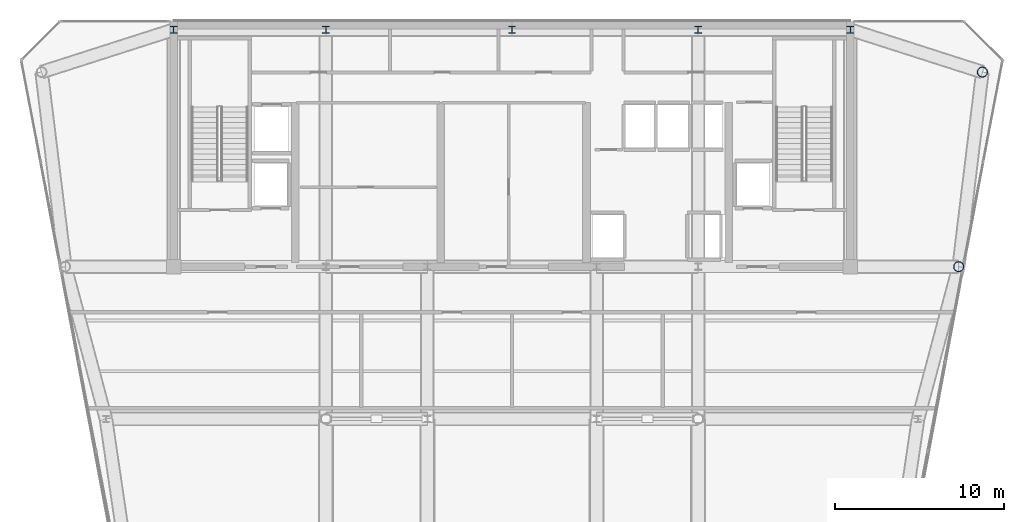
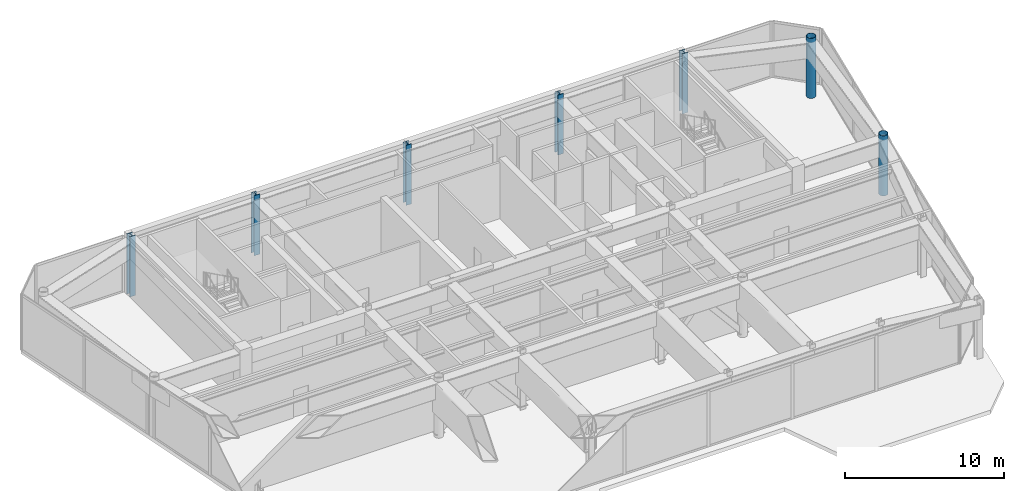
# One storey, part 2 of 14: 7 columns.
"""IFC4 building model written with IfcOpenShell, lengths in metres."""

from ifc_helpers import new_model, si_unit, direction, frame, origin, origin_2d, place, context, subcontext, project, spatial, hollow_circle, i_section, extrude, source, transform, mapped, material, material_profile, profile_set, type_object, element, save


model = new_model("IFC4")

# Units and contexts
model_context = context("Model", 3, precision=1e-05, world=origin(), true_north=direction((0.0, 1.0)))
body_context = subcontext(model_context, "Body", "Model", "MODEL_VIEW")
ifc_project = project(units=[si_unit("LENGTHUNIT", "METRE"), si_unit("AREAUNIT", "SQUARE_METRE"), si_unit("VOLUMEUNIT", "CUBIC_METRE"), si_unit("PLANEANGLEUNIT", "RADIAN"), si_unit("MASSUNIT", "GRAM", prefix="KILO")], contexts=[model_context])

# Site, building, storey
site_placement = place(None, origin())
site = spatial("IfcSite", under=ifc_project, at=site_placement, CompositionType="ELEMENT")
building_placement = place(site_placement, origin())
building = spatial("IfcBuilding", under=site, at=building_placement, Name="Vaeldorn Concourse Tower", CompositionType="ELEMENT")
storey_placement = place(building_placement, frame((0.0, 0.0, 303.800048828125)))
storey = spatial("IfcBuildingStorey", under=building, at=storey_placement, Name="L78", CompositionType="ELEMENT", Elevation=303.800048828125)

# Columns
ifc_material = material(Name="Steel S355", Category="steel")
ifc_material_profile_1 = material_profile(ifc_material, i_section(OverallWidth=0.406005859375, OverallDepth=0.416015625, WebThickness=0.02978515625, FlangeThickness=0.0419921875, FilletRadius=0.014892578125, at=origin_2d()), Name="HD 400x382")
ifc_profile_set_1 = profile_set([ifc_material_profile_1], Name="Steel S355")
column_type_1 = type_object("IfcColumnType", Name="COL-HD382", PredefinedType="COLUMN", material=ifc_profile_set_1)
shared_shape_1 = source(origin(), body_context, "Body", "SweptSolid", [
    extrude(i_section(OverallWidth=0.406005859375, OverallDepth=0.416015625, WebThickness=0.02978515625, FlangeThickness=0.0419921875, FilletRadius=0.014892578125, at=origin_2d()), origin(), (0.0, 0.0, 1.0), 4.599853515625),
])
for number, where, z_axis, x_axis, name in (
    (1, (14.0, 50.5, 0.0), (0.0, 0.0, 1.0), (1.0, 0.0, 0.0), "Column C-HC1 L78"),
    (2, (23.0, 50.5, 0.0), (0.0, 0.0, 1.0), (1.0, 0.0, 0.0), "Column C-HC2 L78"),
    (3, (34.0, 50.5, 0.0), (0.0, 0.0, 1.0), (1.0, 0.0, 0.0), "Column C-HC3 L78"),
    (4, (45.0, 50.5, 0.0), (0.0, 0.0, 1.0), (1.0, 0.0, 0.0), "Column C-HC4 L78"),
    (5, (54.0, 50.5, 0.0), (0.0, 0.0, 1.0), (1.0, 0.0, 0.0), "Column C-HC5 L78"),
):
    element("IfcColumn", number, at=place(storey_placement, frame(where, z_axis=z_axis, x_axis=x_axis)), inside=storey, type_object=column_type_1, Name=name, PredefinedType="COLUMN", context=body_context, shape_type="MappedRepresentation", body=[
        mapped(shared_shape_1, transform((0.0, 0.0, 0.0), scale=1.0)),
    ])
ifc_material_profile_2 = material_profile(ifc_material, hollow_circle(Radius=0.304931640625, WallThickness=0.030029296875, at=origin_2d()), Name="CHS 610x30")
ifc_profile_set_2 = profile_set([ifc_material_profile_2], Name="Steel S355")
column_type_2 = type_object("IfcColumnType", Name="COL-CHS610", PredefinedType="COLUMN", material=ifc_profile_set_2)
shared_shape_2 = source(origin(), body_context, "Body", "SweptSolid", [
    extrude(hollow_circle(Radius=0.304931640625, WallThickness=0.030029296875, at=origin_2d()), origin(), (0.0, 0.0, 1.0), 4.599853515625),
])
for number, where, z_axis, x_axis, name in (
    (6, (61.800048828125, 48.0, 0.0), (0.0, 0.0, 1.0), (1.0, 0.0, 0.0), "Column C-NE1 L78"),
    (7, (60.39990234375, 36.5, 0.0), (0.0, 0.0, 1.0), (1.0, 0.0, 0.0), "Column C-NE2 L78"),
):
    element("IfcColumn", number, at=place(storey_placement, frame(where, z_axis=z_axis, x_axis=x_axis)), inside=storey, type_object=column_type_2, Name=name, PredefinedType="COLUMN", context=body_context, shape_type="MappedRepresentation", body=[
        mapped(shared_shape_2, transform((0.0, 0.0, 0.0), scale=1.0)),
    ])

save(model, "model.ifc")
